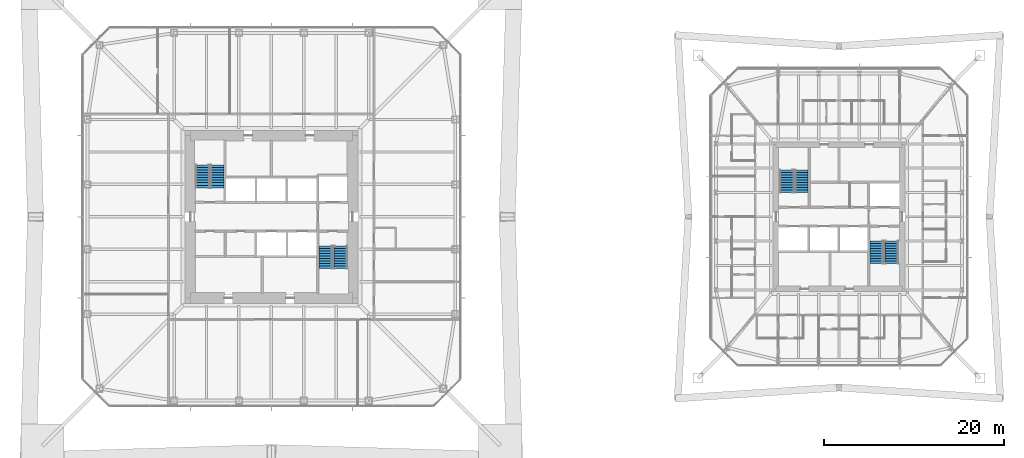
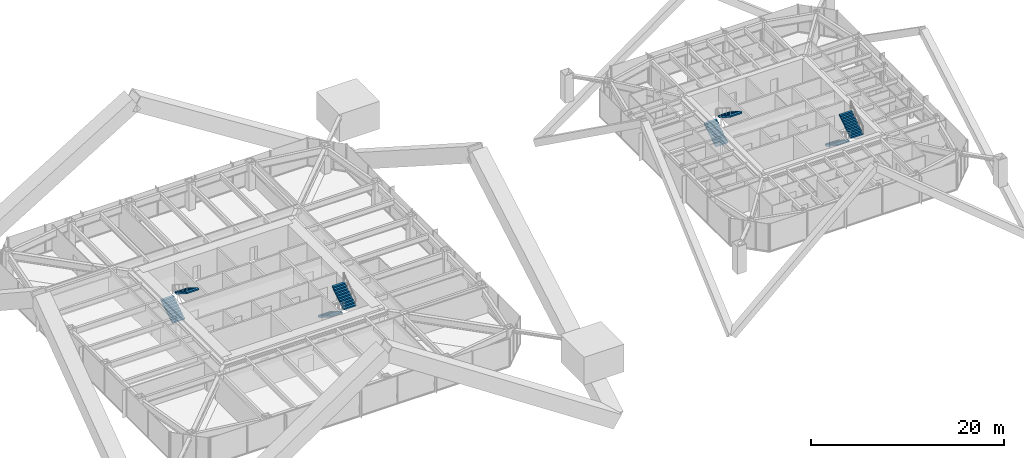
# One storey, part 17 of 21: 8 stair flights, 4 elements without a shape of their own.
"""IFC4 building model written with IfcOpenShell, lengths in metres."""

from ifc_helpers import new_model, si_unit, direction, frame, origin, place, context, subcontext, project, spatial, polyline, outline, extrude, material, constituent, constituent_set, type_object, element, aggregate, save


model = new_model("IFC4")

# Units and contexts
model_context = context("Model", 3, precision=1e-05, world=origin(), true_north=direction((0.0, 1.0)))
body_context = subcontext(model_context, "Body", "Model", "MODEL_VIEW")
ifc_project = project(units=[si_unit("LENGTHUNIT", "METRE"), si_unit("AREAUNIT", "SQUARE_METRE"), si_unit("VOLUMEUNIT", "CUBIC_METRE"), si_unit("PLANEANGLEUNIT", "RADIAN"), si_unit("MASSUNIT", "GRAM", prefix="KILO")], contexts=[model_context])

# Site, building, storey
site_placement = place(None, origin())
site = spatial("IfcSite", under=ifc_project, at=site_placement, CompositionType="ELEMENT")
building_placement = place(site_placement, origin())
building = spatial("IfcBuilding", under=site, at=building_placement, Name="Iwan Alto Co-Living Towers", CompositionType="ELEMENT")
storey_placement = place(building_placement, frame((0.0, 0.0, 80.5)))
storey = spatial("IfcBuildingStorey", under=building, at=storey_placement, Name="L21", CompositionType="ELEMENT", Elevation=80.5)

# Stair, stair flights
ifc_material_1 = material(Name="Steel ASTM A36", Category="steel")
ifc_constituent_1 = constituent(ifc_material_1, Name="Stringers", Category="LoadBearing")
ifc_material_2 = material(Name="Concrete f'c 30 MPa", Category="concrete")
ifc_constituent_2 = constituent(ifc_material_2, Name="Tread fill", Category="Finish")
ifc_constituent_set_1 = constituent_set(constituents=[ifc_constituent_1, ifc_constituent_2], Name="STAIR 3500 TWO-FLIGHT T1 CORE")
stair_type_1 = type_object("IfcStairType", Name="STAIR 3500 TWO-FLIGHT T1 CORE", PredefinedType="HALF_TURN_STAIR", material=ifc_constituent_set_1)
stair_1_placement = place(storey_placement, origin())
stair_1 = element("IfcStair", 1, at=stair_1_placement, inside=storey, type_object=stair_type_1, Name="Stair T1-S1 L21 to L22", PredefinedType="HALF_TURN_STAIR")
ifc_constituent_3 = constituent(ifc_material_1, Name="Stringers", Category="LoadBearing")
ifc_constituent_4 = constituent(ifc_material_2, Name="Tread fill", Category="Finish")
ifc_constituent_set_2 = constituent_set(constituents=[ifc_constituent_3, ifc_constituent_4], Name="STAIR FLIGHT 10 RISERS 280 GOING")
stair_flight_type = type_object("IfcStairFlightType", Name="STAIR FLIGHT 10 RISERS 280 GOING", PredefinedType="STRAIGHT", material=ifc_constituent_set_2)
stair_flight_1_placement = place(storey_placement, frame((-7.68994140625, 3.219970703125, 0.0), z_axis=(0.0, 0.0, 1.0), x_axis=(0.0, 1.0, 0.0)))
stair_flight_1 = element("IfcStairFlight", 2, at=stair_flight_1_placement, type_object=stair_flight_type, Name="T1-S1 flight 1", NumberOfRisers=10, NumberOfTreads=9, PredefinedType="STRAIGHT", RiserHeight=0.175, TreadLength=0.28, context=body_context, shape_type="SweptSolid", body=[
    extrude(outline(polyline([(0.0, 0.0), (0.0, 0.175048828125), (0.280029296875, 0.175048828125), (0.280029296875, 0.35009765625), (0.56005859375, 0.35009765625), (0.56005859375, 0.52490234375), (0.840087890625, 0.52490234375), (0.840087890625, 0.699951171875), (1.1201171875, 0.699951171875), (1.1201171875, 0.875), (1.39990234375, 0.875), (1.39990234375, 1.050048828125), (1.679931640625, 1.050048828125), (1.679931640625, 1.22509765625), (1.9599609375, 1.22509765625), (1.9599609375, 1.39990234375), (2.239990234375, 1.39990234375), (2.239990234375, 1.574951171875), (2.52001953125, 1.574951171875), (2.52001953125, 1.75), (2.52001953125, 1.398193359375), (0.28271484375, 0.0), (0.0, 0.0)])), frame((0.0, 0.739990234375, 0.0), z_axis=(0.0, -1.0, 0.0), x_axis=(1.0, 0.0, 0.0)), (0.0, 0.0, 1.0), 1.47998046875),
])
stair_flight_2_placement = place(storey_placement, frame((-6.010009765625, 5.739990234375, 1.75), z_axis=(0.0, 0.0, 1.0), x_axis=(0.0, -1.0, 0.0)))
stair_flight_2 = element("IfcStairFlight", 3, at=stair_flight_2_placement, type_object=stair_flight_type, Name="T1-S1 flight 2", NumberOfRisers=10, NumberOfTreads=9, PredefinedType="STRAIGHT", RiserHeight=0.175, TreadLength=0.28, context=body_context, shape_type="SweptSolid", body=[
    extrude(outline(polyline([(0.0, 0.0), (0.0, 0.175048828125), (0.280029296875, 0.175048828125), (0.280029296875, 0.35009765625), (0.56005859375, 0.35009765625), (0.56005859375, 0.52490234375), (0.840087890625, 0.52490234375), (0.840087890625, 0.699951171875), (1.1201171875, 0.699951171875), (1.1201171875, 0.875), (1.39990234375, 0.875), (1.39990234375, 1.050048828125), (1.679931640625, 1.050048828125), (1.679931640625, 1.22509765625), (1.9599609375, 1.22509765625), (1.9599609375, 1.39990234375), (2.239990234375, 1.39990234375), (2.239990234375, 1.574951171875), (2.52001953125, 1.574951171875), (2.52001953125, 1.75), (2.52001953125, 1.398193359375), (0.28271484375, 0.0), (0.0, 0.0)])), frame((0.0, 0.739990234375, 0.0), z_axis=(0.0, -1.0, 0.0), x_axis=(1.0, 0.0, 0.0)), (0.0, 0.0, 1.0), 1.47998046875),
])
aggregate(stair_1, [stair_flight_1, stair_flight_2])

stair_2_placement = place(storey_placement, origin())
stair_2 = element("IfcStair", 4, at=stair_2_placement, inside=storey, type_object=stair_type_1, Name="Stair T1-S2 L21 to L22", PredefinedType="HALF_TURN_STAIR")
stair_flight_3_placement = place(storey_placement, frame((6.010009765625, -3.219970703125, 0.0), z_axis=(0.0, 0.0, 1.0), x_axis=(0.0, -1.0, 0.0)))
stair_flight_3 = element("IfcStairFlight", 5, at=stair_flight_3_placement, type_object=stair_flight_type, Name="T1-S2 flight 1", NumberOfRisers=10, NumberOfTreads=9, PredefinedType="STRAIGHT", RiserHeight=0.175, TreadLength=0.28, context=body_context, shape_type="SweptSolid", body=[
    extrude(outline(polyline([(0.0, 0.0), (0.0, 0.175048828125), (0.280029296875, 0.175048828125), (0.280029296875, 0.35009765625), (0.56005859375, 0.35009765625), (0.56005859375, 0.52490234375), (0.840087890625, 0.52490234375), (0.840087890625, 0.699951171875), (1.1201171875, 0.699951171875), (1.1201171875, 0.875), (1.39990234375, 0.875), (1.39990234375, 1.050048828125), (1.679931640625, 1.050048828125), (1.679931640625, 1.22509765625), (1.9599609375, 1.22509765625), (1.9599609375, 1.39990234375), (2.239990234375, 1.39990234375), (2.239990234375, 1.574951171875), (2.52001953125, 1.574951171875), (2.52001953125, 1.75), (2.52001953125, 1.398193359375), (0.28271484375, 0.0), (0.0, 0.0)])), frame((0.0, 0.739990234375, 0.0), z_axis=(0.0, -1.0, 0.0), x_axis=(1.0, 0.0, 0.0)), (0.0, 0.0, 1.0), 1.47998046875),
])
stair_flight_4_placement = place(storey_placement, frame((7.68994140625, -5.739990234375, 1.75), z_axis=(0.0, 0.0, 1.0), x_axis=(0.0, 1.0, 0.0)))
stair_flight_4 = element("IfcStairFlight", 6, at=stair_flight_4_placement, type_object=stair_flight_type, Name="T1-S2 flight 2", NumberOfRisers=10, NumberOfTreads=9, PredefinedType="STRAIGHT", RiserHeight=0.175, TreadLength=0.28, context=body_context, shape_type="SweptSolid", body=[
    extrude(outline(polyline([(0.0, 0.0), (0.0, 0.175048828125), (0.280029296875, 0.175048828125), (0.280029296875, 0.35009765625), (0.56005859375, 0.35009765625), (0.56005859375, 0.52490234375), (0.840087890625, 0.52490234375), (0.840087890625, 0.699951171875), (1.1201171875, 0.699951171875), (1.1201171875, 0.875), (1.39990234375, 0.875), (1.39990234375, 1.050048828125), (1.679931640625, 1.050048828125), (1.679931640625, 1.22509765625), (1.9599609375, 1.22509765625), (1.9599609375, 1.39990234375), (2.239990234375, 1.39990234375), (2.239990234375, 1.574951171875), (2.52001953125, 1.574951171875), (2.52001953125, 1.75), (2.52001953125, 1.398193359375), (0.28271484375, 0.0), (0.0, 0.0)])), frame((0.0, 0.739990234375, 0.0), z_axis=(0.0, -1.0, 0.0), x_axis=(1.0, 0.0, 0.0)), (0.0, 0.0, 1.0), 1.47998046875),
])
aggregate(stair_2, [stair_flight_3, stair_flight_4])

ifc_constituent_5 = constituent(ifc_material_1, Name="Stringers", Category="LoadBearing")
ifc_constituent_6 = constituent(ifc_material_2, Name="Tread fill", Category="Finish")
ifc_constituent_set_3 = constituent_set(constituents=[ifc_constituent_5, ifc_constituent_6], Name="STAIR 3500 TWO-FLIGHT T2 CORE")
stair_type_2 = type_object("IfcStairType", Name="STAIR 3500 TWO-FLIGHT T2 CORE", PredefinedType="HALF_TURN_STAIR", material=ifc_constituent_set_3)
stair_3_placement = place(storey_placement, origin())
stair_3 = element("IfcStair", 7, at=stair_3_placement, inside=storey, type_object=stair_type_2, Name="Stair T2-S1 L21 to L22", PredefinedType="HALF_TURN_STAIR")
stair_flight_5_placement = place(storey_placement, frame((57.159912109375, 2.669921875, 0.0), z_axis=(0.0, 0.0, 1.0), x_axis=(0.0, 1.0, 0.0)))
stair_flight_5 = element("IfcStairFlight", 8, at=stair_flight_5_placement, type_object=stair_flight_type, Name="T2-S1 flight 1", NumberOfRisers=10, NumberOfTreads=9, PredefinedType="STRAIGHT", RiserHeight=0.175, TreadLength=0.28, context=body_context, shape_type="SweptSolid", body=[
    extrude(outline(polyline([(0.0, 0.0), (0.0, 0.175048828125), (0.280029296875, 0.175048828125), (0.280029296875, 0.35009765625), (0.56005859375, 0.35009765625), (0.56005859375, 0.52490234375), (0.840087890625, 0.52490234375), (0.840087890625, 0.699951171875), (1.1201171875, 0.699951171875), (1.1201171875, 0.875), (1.39990234375, 0.875), (1.39990234375, 1.050048828125), (1.679931640625, 1.050048828125), (1.679931640625, 1.22509765625), (1.9599609375, 1.22509765625), (1.9599609375, 1.39990234375), (2.239990234375, 1.39990234375), (2.239990234375, 1.574951171875), (2.52001953125, 1.574951171875), (2.52001953125, 1.75), (2.52001953125, 1.398193359375), (0.28271484375, 0.0), (0.0, 0.0)])), frame((0.0, 0.739990234375, 0.0), z_axis=(0.0, -1.0, 0.0), x_axis=(1.0, 0.0, 0.0)), (0.0, 0.0, 1.0), 1.47998046875),
])
stair_flight_6_placement = place(storey_placement, frame((58.840087890625, 5.18994140625, 1.75), z_axis=(0.0, 0.0, 1.0), x_axis=(0.0, -1.0, 0.0)))
stair_flight_6 = element("IfcStairFlight", 9, at=stair_flight_6_placement, type_object=stair_flight_type, Name="T2-S1 flight 2", NumberOfRisers=10, NumberOfTreads=9, PredefinedType="STRAIGHT", RiserHeight=0.175, TreadLength=0.28, context=body_context, shape_type="SweptSolid", body=[
    extrude(outline(polyline([(0.0, 0.0), (0.0, 0.175048828125), (0.280029296875, 0.175048828125), (0.280029296875, 0.35009765625), (0.56005859375, 0.35009765625), (0.56005859375, 0.52490234375), (0.840087890625, 0.52490234375), (0.840087890625, 0.699951171875), (1.1201171875, 0.699951171875), (1.1201171875, 0.875), (1.39990234375, 0.875), (1.39990234375, 1.050048828125), (1.679931640625, 1.050048828125), (1.679931640625, 1.22509765625), (1.9599609375, 1.22509765625), (1.9599609375, 1.39990234375), (2.239990234375, 1.39990234375), (2.239990234375, 1.574951171875), (2.52001953125, 1.574951171875), (2.52001953125, 1.75), (2.52001953125, 1.398193359375), (0.28271484375, 0.0), (0.0, 0.0)])), frame((0.0, 0.739990234375, 0.0), z_axis=(0.0, -1.0, 0.0), x_axis=(1.0, 0.0, 0.0)), (0.0, 0.0, 1.0), 1.47998046875),
])
aggregate(stair_3, [stair_flight_5, stair_flight_6])

stair_4_placement = place(storey_placement, origin())
stair_4 = element("IfcStair", 10, at=stair_4_placement, inside=storey, type_object=stair_type_2, Name="Stair T2-S2 L21 to L22", PredefinedType="HALF_TURN_STAIR")
stair_flight_7_placement = place(storey_placement, frame((67.159912109375, -2.669921875, 0.0), z_axis=(0.0, 0.0, 1.0), x_axis=(0.0, -1.0, 0.0)))
stair_flight_7 = element("IfcStairFlight", 11, at=stair_flight_7_placement, type_object=stair_flight_type, Name="T2-S2 flight 1", NumberOfRisers=10, NumberOfTreads=9, PredefinedType="STRAIGHT", RiserHeight=0.175, TreadLength=0.28, context=body_context, shape_type="SweptSolid", body=[
    extrude(outline(polyline([(0.0, 0.0), (0.0, 0.175048828125), (0.280029296875, 0.175048828125), (0.280029296875, 0.35009765625), (0.56005859375, 0.35009765625), (0.56005859375, 0.52490234375), (0.840087890625, 0.52490234375), (0.840087890625, 0.699951171875), (1.1201171875, 0.699951171875), (1.1201171875, 0.875), (1.39990234375, 0.875), (1.39990234375, 1.050048828125), (1.679931640625, 1.050048828125), (1.679931640625, 1.22509765625), (1.9599609375, 1.22509765625), (1.9599609375, 1.39990234375), (2.239990234375, 1.39990234375), (2.239990234375, 1.574951171875), (2.52001953125, 1.574951171875), (2.52001953125, 1.75), (2.52001953125, 1.398193359375), (0.28271484375, 0.0), (0.0, 0.0)])), frame((0.0, 0.739990234375, 0.0), z_axis=(0.0, -1.0, 0.0), x_axis=(1.0, 0.0, 0.0)), (0.0, 0.0, 1.0), 1.47998046875),
])
stair_flight_8_placement = place(storey_placement, frame((68.840087890625, -5.18994140625, 1.75), z_axis=(0.0, 0.0, 1.0), x_axis=(0.0, 1.0, 0.0)))
stair_flight_8 = element("IfcStairFlight", 12, at=stair_flight_8_placement, type_object=stair_flight_type, Name="T2-S2 flight 2", NumberOfRisers=10, NumberOfTreads=9, PredefinedType="STRAIGHT", RiserHeight=0.175, TreadLength=0.28, context=body_context, shape_type="SweptSolid", body=[
    extrude(outline(polyline([(0.0, 0.0), (0.0, 0.175048828125), (0.280029296875, 0.175048828125), (0.280029296875, 0.35009765625), (0.56005859375, 0.35009765625), (0.56005859375, 0.52490234375), (0.840087890625, 0.52490234375), (0.840087890625, 0.699951171875), (1.1201171875, 0.699951171875), (1.1201171875, 0.875), (1.39990234375, 0.875), (1.39990234375, 1.050048828125), (1.679931640625, 1.050048828125), (1.679931640625, 1.22509765625), (1.9599609375, 1.22509765625), (1.9599609375, 1.39990234375), (2.239990234375, 1.39990234375), (2.239990234375, 1.574951171875), (2.52001953125, 1.574951171875), (2.52001953125, 1.75), (2.52001953125, 1.398193359375), (0.28271484375, 0.0), (0.0, 0.0)])), frame((0.0, 0.739990234375, 0.0), z_axis=(0.0, -1.0, 0.0), x_axis=(1.0, 0.0, 0.0)), (0.0, 0.0, 1.0), 1.47998046875),
])
aggregate(stair_4, [stair_flight_7, stair_flight_8])

save(model, "model.ifc")
